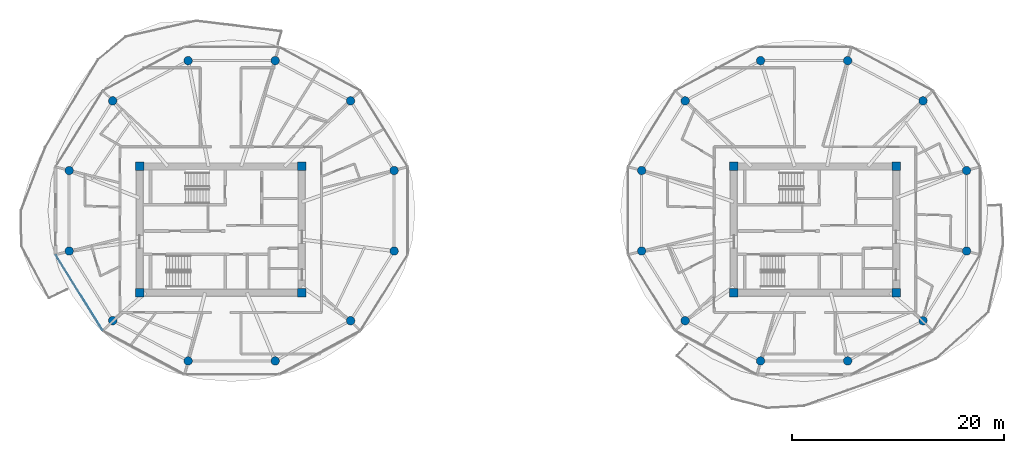
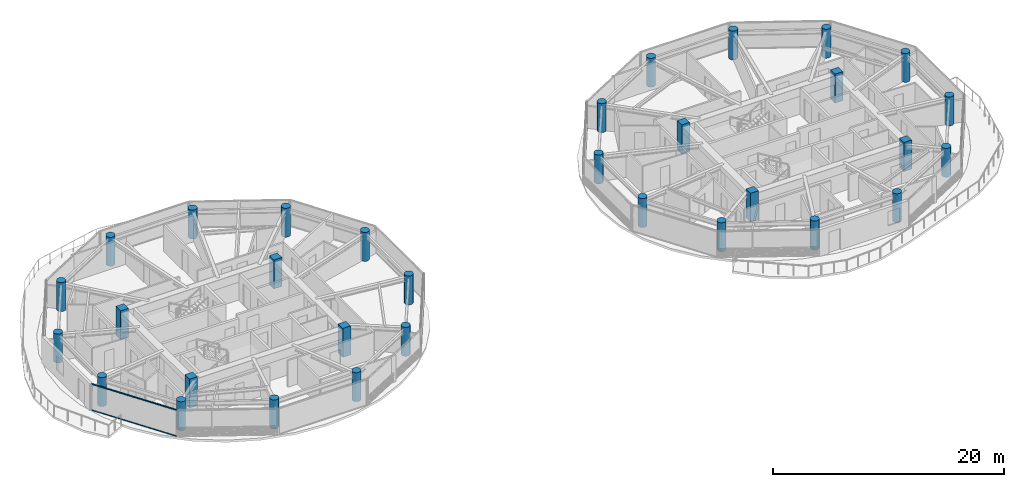
# One storey, part 1 of 22: 32 columns, 2 members, 1 element without a shape of its own.
"""IFC4 building model written with IfcOpenShell, lengths in metres."""

from ifc_helpers import new_model, si_unit, direction, frame, origin, origin_2d, place, context, subcontext, project, spatial, rectangle, circle, extrude, source, transform, mapped, material, layer, layer_set, material_profile, profile_set, type_object, type_shapes, element, aggregate, save


model = new_model("IFC4")

# Units and contexts
model_context = context("Model", 3, precision=1e-05, world=origin(), true_north=direction((0.0, 1.0)))
body_context = subcontext(model_context, "Body", "Model", "MODEL_VIEW")
ifc_project = project(units=[si_unit("LENGTHUNIT", "METRE"), si_unit("AREAUNIT", "SQUARE_METRE"), si_unit("VOLUMEUNIT", "CUBIC_METRE"), si_unit("PLANEANGLEUNIT", "RADIAN"), si_unit("MASSUNIT", "GRAM", prefix="KILO")], contexts=[model_context])

# Site, building, storey
site_placement = place(None, origin())
site = spatial("IfcSite", under=ifc_project, at=site_placement, CompositionType="ELEMENT")
building_placement = place(site_placement, origin())
building = spatial("IfcBuilding", under=site, at=building_placement, Name="Norrkilde Senior Care Towers", CompositionType="ELEMENT")
storey_placement = place(building_placement, frame((0.0, 0.0, 152.60009765625)))
storey = spatial("IfcBuildingStorey", under=building, at=storey_placement, Name="L47", CompositionType="ELEMENT", Elevation=152.60009765625)

# Columns
ifc_material_1 = material(Name="Concrete C60/75", Category="concrete")
ifc_material_profile_1 = material_profile(ifc_material_1, rectangle(XDim=0.800048828125, YDim=0.800048828125, at=origin_2d()), Name="RC COL 800x800")
ifc_profile_set_1 = profile_set([ifc_material_profile_1], Name="Concrete C60/75")
column_type_1 = type_object("IfcColumnType", Name="Column Core Corner Z3-Z4 800", PredefinedType="COLUMN", material=ifc_profile_set_1)
shared_shape_1 = source(origin(), body_context, "Body", "SweptSolid", [
    extrude(rectangle(XDim=0.800048828125, YDim=0.800048828125, at=origin_2d()), origin(), (0.0, 0.0, 1.0), 3.0498046875),
])
type_shapes(column_type_1, [shared_shape_1])
for number, where, z_axis, x_axis, name in (
    (1, (-35.64990234375, -5.949951171875, 0.0), (0.0, 0.0, 1.0), (1.0, 0.0, 0.0), "L47 Core W Corner Column 1"),
    (2, (-20.35009765625, -5.949951171875, 0.0), (0.0, 0.0, 1.0), (1.0, 0.0, 0.0), "L47 Core W Corner Column 2"),
    (3, (-20.35009765625, 5.949951171875, 0.0), (0.0, 0.0, 1.0), (1.0, 0.0, 0.0), "L47 Core W Corner Column 3"),
    (4, (-35.64990234375, 5.949951171875, 0.0), (0.0, 0.0, 1.0), (1.0, 0.0, 0.0), "L47 Core W Corner Column 4"),
    (5, (20.35009765625, -5.949951171875, 0.0), (0.0, 0.0, 1.0), (1.0, 0.0, 0.0), "L47 Core E Corner Column 1"),
    (6, (35.64990234375, -5.949951171875, 0.0), (0.0, 0.0, 1.0), (1.0, 0.0, 0.0), "L47 Core E Corner Column 2"),
    (7, (35.64990234375, 5.949951171875, 0.0), (0.0, 0.0, 1.0), (1.0, 0.0, 0.0), "L47 Core E Corner Column 3"),
    (8, (20.35009765625, 5.949951171875, 0.0), (0.0, 0.0, 1.0), (1.0, 0.0, 0.0), "L47 Core E Corner Column 4"),
):
    element("IfcColumn", number, at=place(storey_placement, frame(where, z_axis=z_axis, x_axis=x_axis)), inside=storey, type_object=column_type_1, Name=name, PredefinedType="COLUMN", context=body_context, shape_type="MappedRepresentation", body=[
        mapped(shared_shape_1, transform((0.0, 0.0, 0.0), x_axis=(1.0, 0.0, 0.0), y_axis=(0.0, 1.0, 0.0), z_axis=(0.0, 0.0, 1.0), scale=1.0)),
    ])
ifc_material_2 = material(Name="Concrete C50/60", Category="concrete")
ifc_material_profile_2 = material_profile(ifc_material_2, circle(Radius=0.39990234375, at=origin_2d()), Name="RC CIR 800")
ifc_profile_set_2 = profile_set([ifc_material_profile_2], Name="Concrete C50/60")
column_type_2 = type_object("IfcColumnType", Name="Column Perimeter Z3 800", PredefinedType="COLUMN", material=ifc_profile_set_2)
shared_shape_2 = source(origin(), body_context, "Body", "SweptSolid", [
    extrude(circle(Radius=0.39990234375, at=origin_2d()), origin(), (0.0, 0.0, 1.0), 3.0498046875),
])
type_shapes(column_type_2, [shared_shape_2])
for number, where, z_axis, x_axis, name in (
    (9, (-11.6650390625, 5.567138671875, 0.0), (0.0, 0.0, 1.0), (1.0, 0.0, 0.0), "L47 Drum W Perimeter Column 01"),
    (10, (-15.767333984375, 12.134521484375, 0.0), (0.0, 0.0, 1.0), (1.0, 0.0, 0.0), "L47 Drum W Perimeter Column 02"),
    (11, (-22.872802734375, 15.92626953125, 0.0), (0.0, 0.0, 1.0), (1.0, 0.0, 0.0), "L47 Drum W Perimeter Column 03"),
    (12, (-31.077392578125, 15.92626953125, 0.0), (0.0, 0.0, 1.0), (1.0, 0.0, 0.0), "L47 Drum W Perimeter Column 04"),
    (13, (-38.1826171875, 12.134521484375, 0.0), (0.0, 0.0, 1.0), (1.0, 0.0, 0.0), "L47 Drum W Perimeter Column 05"),
    (14, (-42.284912109375, 5.567138671875, 0.0), (0.0, 0.0, 1.0), (1.0, 0.0, 0.0), "L47 Drum W Perimeter Column 06"),
    (15, (-42.284912109375, -2.016357421875, 0.0), (0.0, 0.0, 1.0), (1.0, 0.0, 0.0), "L47 Drum W Perimeter Column 07"),
    (16, (-38.1826171875, -8.583740234375, 0.0), (0.0, 0.0, 1.0), (1.0, 0.0, 0.0), "L47 Drum W Perimeter Column 08"),
    (17, (-31.077392578125, -12.37548828125, 0.0), (0.0, 0.0, 1.0), (1.0, 0.0, 0.0), "L47 Drum W Perimeter Column 09"),
    (18, (-22.872802734375, -12.37548828125, 0.0), (0.0, 0.0, 1.0), (1.0, 0.0, 0.0), "L47 Drum W Perimeter Column 10"),
    (19, (-15.767333984375, -8.583740234375, 0.0), (0.0, 0.0, 1.0), (1.0, 0.0, 0.0), "L47 Drum W Perimeter Column 11"),
    (20, (-11.6650390625, -2.016357421875, 0.0), (0.0, 0.0, 1.0), (1.0, 0.0, 0.0), "L47 Drum W Perimeter Column 12"),
    (21, (42.284912109375, 5.567138671875, 0.0), (0.0, 0.0, 1.0), (1.0, 0.0, 0.0), "L47 Drum E Perimeter Column 01"),
    (22, (38.1826171875, 12.134521484375, 0.0), (0.0, 0.0, 1.0), (1.0, 0.0, 0.0), "L47 Drum E Perimeter Column 02"),
    (23, (31.077392578125, 15.92626953125, 0.0), (0.0, 0.0, 1.0), (1.0, 0.0, 0.0), "L47 Drum E Perimeter Column 03"),
    (24, (22.872802734375, 15.92626953125, 0.0), (0.0, 0.0, 1.0), (1.0, 0.0, 0.0), "L47 Drum E Perimeter Column 04"),
    (25, (15.767333984375, 12.134521484375, 0.0), (0.0, 0.0, 1.0), (1.0, 0.0, 0.0), "L47 Drum E Perimeter Column 05"),
    (26, (11.6650390625, 5.567138671875, 0.0), (0.0, 0.0, 1.0), (1.0, 0.0, 0.0), "L47 Drum E Perimeter Column 06"),
    (27, (11.6650390625, -2.016357421875, 0.0), (0.0, 0.0, 1.0), (1.0, 0.0, 0.0), "L47 Drum E Perimeter Column 07"),
    (28, (15.767333984375, -8.583740234375, 0.0), (0.0, 0.0, 1.0), (1.0, 0.0, 0.0), "L47 Drum E Perimeter Column 08"),
    (29, (22.872802734375, -12.37548828125, 0.0), (0.0, 0.0, 1.0), (1.0, 0.0, 0.0), "L47 Drum E Perimeter Column 09"),
    (30, (31.077392578125, -12.37548828125, 0.0), (0.0, 0.0, 1.0), (1.0, 0.0, 0.0), "L47 Drum E Perimeter Column 10"),
    (31, (38.1826171875, -8.583740234375, 0.0), (0.0, 0.0, 1.0), (1.0, 0.0, 0.0), "L47 Drum E Perimeter Column 11"),
    (32, (42.284912109375, -2.016357421875, 0.0), (0.0, 0.0, 1.0), (1.0, 0.0, 0.0), "L47 Drum E Perimeter Column 12"),
):
    element("IfcColumn", number, at=place(storey_placement, frame(where, z_axis=z_axis, x_axis=x_axis)), inside=storey, type_object=column_type_2, Name=name, PredefinedType="COLUMN", context=body_context, shape_type="MappedRepresentation", body=[
        mapped(shared_shape_2, transform((0.0, 0.0, 0.0), x_axis=(1.0, 0.0, 0.0), y_axis=(0.0, 1.0, 0.0), z_axis=(0.0, 0.0, 1.0), scale=1.0)),
    ])

# Curtain wall, members
ifc_material_3 = material(Name="Triple Low-E Insulated Glazing", Category="glass")
ifc_layer = layer(ifc_material_3, 0.18994140625)
ifc_layer_set = layer_set([ifc_layer], Name="Triple Low-E Insulated Glazing")
curtain_wall_type = type_object("IfcCurtainWallType", Name="CW4 Zone 3 Senior Residence Curtain Wall", PredefinedType="NOTDEFINED", material=ifc_layer_set)
curtain_wall_placement = place(storey_placement, origin())
curtain_wall = element("IfcCurtainWall", 33, at=curtain_wall_placement, inside=storey, type_object=curtain_wall_type, Name="L47 Drum W Curtain Wall 06", PredefinedType="NOTDEFINED")
ifc_material_4 = material(Name="Anodised Aluminium", Category="aluminium")
ifc_material_profile_3 = material_profile(ifc_material_4, rectangle(XDim=0.06005859375, YDim=0.1201171875, at=origin_2d()), Name="ALU TRAN 60x120")
ifc_profile_set_3 = profile_set([ifc_material_profile_3], Name="Anodised Aluminium")
member_type = type_object("IfcMemberType", Name="Curtain Wall Transom Typical 60x120", PredefinedType="USERDEFINED", material=ifc_profile_set_3)
shared_shape_3 = source(origin(), body_context, "Body", "SweptSolid", [
    extrude(rectangle(XDim=0.06005859375, YDim=0.1201171875, at=origin_2d()), origin(), (0.0, 0.0, 1.0), 8.301513671875),
])
type_shapes(member_type, [shared_shape_3])
member_1_placement = place(storey_placement, frame((-39.157470703125, -9.468994140625, 0.02978515625), z_axis=(-0.527368718394, 0.849636531029, 0.0), x_axis=(-0.849636531029, -0.527368718394, 0.0)))
member_1 = element("IfcMember", 34, at=member_1_placement, type_object=member_type, Name="CW-4 transom 1.1", ObjectType="TRANSOM", PredefinedType="USERDEFINED", context=body_context, shape_type="MappedRepresentation", body=[
    mapped(shared_shape_3, transform((0.0, 0.0, 0.0), x_axis=(1.0, 0.0, 0.0), y_axis=(0.0, 1.0, 0.0), z_axis=(0.0, 0.0, 1.0), scale=1.0)),
])
member_2_placement = place(storey_placement, frame((-39.157470703125, -9.468994140625, 2.77978515625), z_axis=(-0.527368718394, 0.849636531029, 0.0), x_axis=(-0.849636531029, -0.527368718394, 0.0)))
member_2 = element("IfcMember", 35, at=member_2_placement, type_object=member_type, Name="CW-4 transom 1.2", ObjectType="TRANSOM", PredefinedType="USERDEFINED", context=body_context, shape_type="MappedRepresentation", body=[
    mapped(shared_shape_3, transform((0.0, 0.0, 0.0), x_axis=(1.0, 0.0, 0.0), y_axis=(0.0, 1.0, 0.0), z_axis=(0.0, 0.0, 1.0), scale=1.0)),
])
aggregate(curtain_wall, [member_1, member_2])

save(model, "model.ifc")
